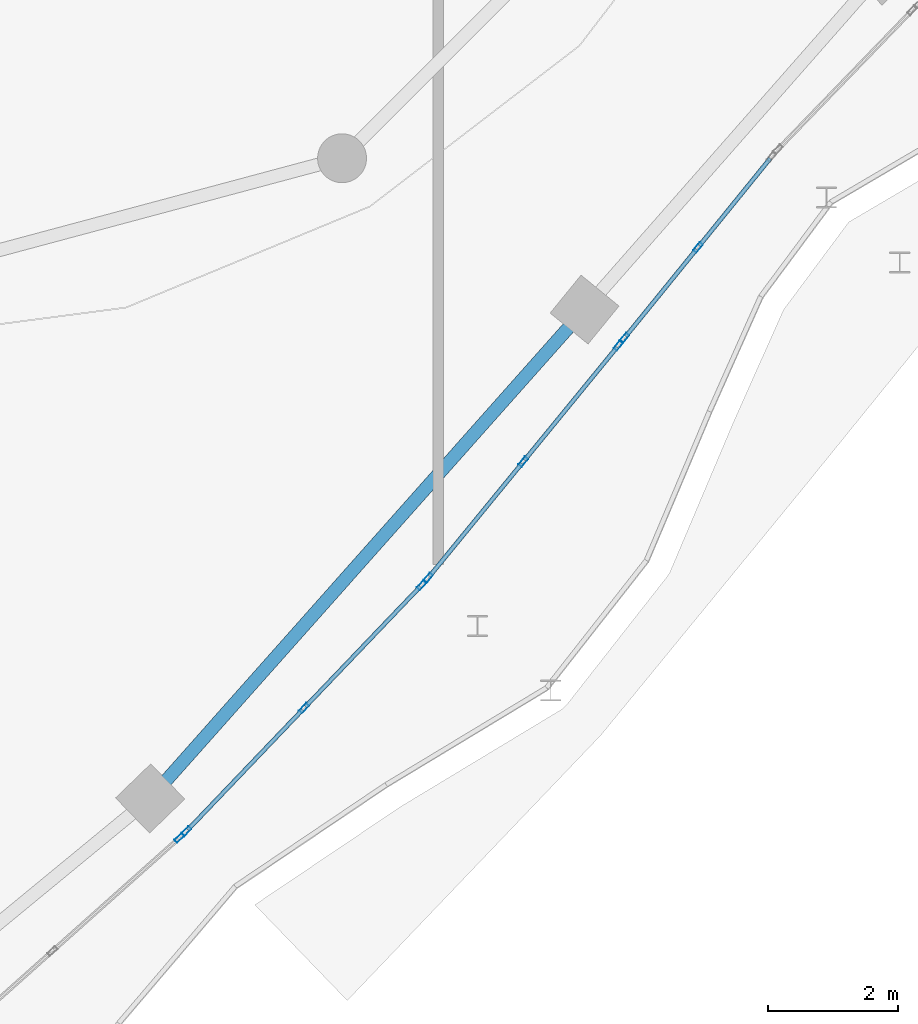
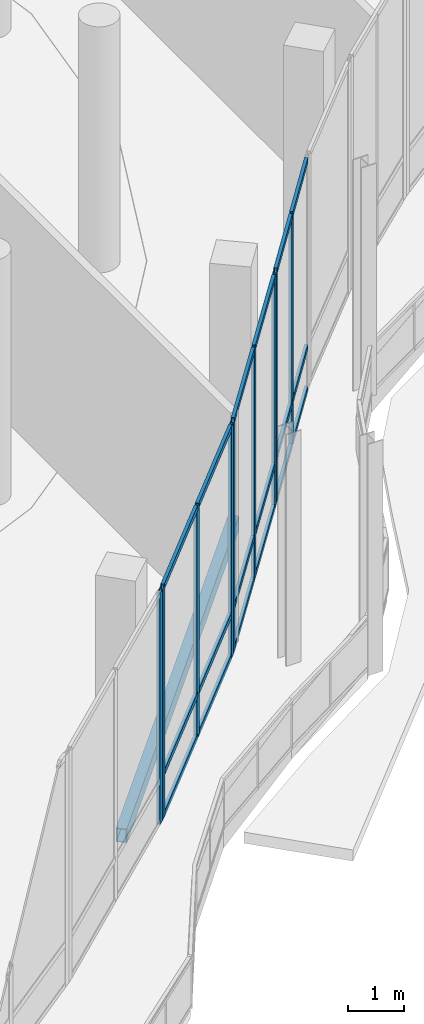
# One storey, part 50 of 158: 27 members, 1 beam, 4 elements without a shape of their own.
"""IFC4 building model written with IfcOpenShell, lengths in metres."""

from ifc_helpers import new_model, si_unit, direction, frame, origin, origin_2d, place, context, subcontext, project, spatial, hollow_rectangle, extrude, material, material_profile, profile_set, type_object, element, aggregate, save


model = new_model("IFC4")

# Units and contexts
model_context = context("Model", 3, precision=1e-05, world=origin(), true_north=direction((0.0, 1.0)))
body_context = subcontext(model_context, "Body", "Model", "MODEL_VIEW")
ifc_project = project(units=[si_unit("LENGTHUNIT", "METRE"), si_unit("AREAUNIT", "SQUARE_METRE"), si_unit("VOLUMEUNIT", "CUBIC_METRE"), si_unit("PLANEANGLEUNIT", "RADIAN"), si_unit("MASSUNIT", "GRAM", prefix="KILO")], contexts=[model_context])

# Site, building, storey
site_placement = place(None, origin())
site = spatial("IfcSite", under=ifc_project, at=site_placement, CompositionType="ELEMENT")
building_placement = place(site_placement, origin())
building = spatial("IfcBuilding", under=site, at=building_placement, Name="Selatvlak General Hospital", CompositionType="ELEMENT")
storey_placement = place(building_placement, origin())
storey = spatial("IfcBuildingStorey", under=building, at=storey_placement, Name="L00", CompositionType="ELEMENT", Elevation=0.0)

# Beam
ifc_material_1 = material(Name="Steel S355", Category="steel")
ifc_material_profile_1 = material_profile(ifc_material_1, hollow_rectangle(XDim=0.199951171875, YDim=0.300048828125, WallThickness=0.011962890625, at=origin_2d()), Name="RHS 300x200x12")
ifc_profile_set_1 = profile_set([ifc_material_profile_1], Name="Steel S355")
beam_type = type_object("IfcBeamType", Name="BM-SP3", PredefinedType="SPANDREL", material=ifc_profile_set_1)
beam_placement = place(storey_placement, frame((102.383056640625, 31.4970703125, -0.5), z_axis=(0.664193048636, 0.747561097265, 0.0), x_axis=(-0.747561097265, 0.664193048636, 0.0)))
element("IfcBeam", 1, at=beam_placement, inside=storey, type_object=beam_type, Name="Beam BMR-L00-0376", PredefinedType="SPANDREL", context=body_context, shape_type="SweptSolid", body=[
    extrude(hollow_rectangle(XDim=0.199951171875, YDim=0.300048828125, WallThickness=0.011962890625, at=origin_2d()), origin(), (0.0, 0.0, 1.0), 10.027099609375),
])

# Curtain wall, members
ifc_material_2 = material(Name="Solar-control Low-E double glazing", Category="glass")
curtain_wall_type_1 = type_object("IfcCurtainWallType", Name="CW-CW-02", PredefinedType="USERDEFINED", material=ifc_material_2)
curtain_wall_1_placement = place(storey_placement, origin())
curtain_wall_1 = element("IfcCurtainWall", 2, at=curtain_wall_1_placement, inside=storey, type_object=curtain_wall_type_1, Name="Glazed facade curtain wall CW-L00-0042", ObjectType="UNITISED CURTAIN WALL", PredefinedType="USERDEFINED")
ifc_material_3 = material(Name="Dark anodised aluminium mullion", Category="aluminium")
ifc_material_profile_2 = material_profile(ifc_material_3, hollow_rectangle(XDim=0.06494140625, YDim=0.159912109375, WallThickness=0.00390625, at=origin_2d()), Name="AL-MUL 65x160x4")
ifc_profile_set_2 = profile_set([ifc_material_profile_2], Name="Dark anodised aluminium mullion")
member_type_1 = type_object("IfcMemberType", Name="CWM-01", PredefinedType="MULLION", material=ifc_profile_set_2)
member_1_placement = place(storey_placement, frame((110.781494140625, 39.945556640625, 0.0), z_axis=(0.0, 0.0, 1.0), x_axis=(0.776323804924, -0.630334315986, 0.0)))
member_1 = element("IfcMember", 3, at=member_1_placement, type_object=member_type_1, Name="CW-02 mullion 2", PredefinedType="MULLION", context=body_context, shape_type="SweptSolid", body=[
    extrude(hollow_rectangle(XDim=0.06494140625, YDim=0.159912109375, WallThickness=0.00390625, at=origin_2d()), origin(), (0.0, 0.0, 1.0), 5.080078125),
])
member_2_placement = place(storey_placement, frame((109.653564453125, 38.55615234375, 0.0), z_axis=(0.0, 0.0, 1.0), x_axis=(0.776323804924, -0.630334315986, 0.0)))
member_2 = element("IfcMember", 4, at=member_2_placement, type_object=member_type_1, Name="CW-02 mullion 3", PredefinedType="MULLION", context=body_context, shape_type="SweptSolid", body=[
    extrude(hollow_rectangle(XDim=0.06494140625, YDim=0.159912109375, WallThickness=0.00390625, at=origin_2d()), origin(), (0.0, 0.0, 1.0), 5.080078125),
])

curtain_wall_type_2 = type_object("IfcCurtainWallType", Name="CW-CW-01", PredefinedType="USERDEFINED", material=ifc_material_2)
curtain_wall_2_placement = place(storey_placement, origin())
curtain_wall_2 = element("IfcCurtainWall", 5, at=curtain_wall_2_placement, inside=storey, type_object=curtain_wall_type_2, Name="Glazed facade curtain wall CW-L00-0043", ObjectType="UNITISED CURTAIN WALL", PredefinedType="USERDEFINED")
member_3_placement = place(storey_placement, frame((109.5625, 38.44287109375, 0.0), z_axis=(0.0, 0.0, 1.0), x_axis=(0.773785702976, -0.633447461018, 0.0)))
member_3 = element("IfcMember", 6, at=member_3_placement, type_object=member_type_1, Name="CW-01 mullion 1", PredefinedType="MULLION", context=body_context, shape_type="SweptSolid", body=[
    extrude(hollow_rectangle(XDim=0.06494140625, YDim=0.159912109375, WallThickness=0.00390625, at=origin_2d()), origin(), (0.0, 0.0, 1.0), 5.080078125),
])
member_4_placement = place(storey_placement, frame((108.1025390625, 36.659423828125, 0.0), z_axis=(0.0, 0.0, 1.0), x_axis=(0.773785702976, -0.633447461018, 0.0)))
member_4 = element("IfcMember", 7, at=member_4_placement, type_object=member_type_1, Name="CW-01 mullion 2", PredefinedType="MULLION", context=body_context, shape_type="SweptSolid", body=[
    extrude(hollow_rectangle(XDim=0.06494140625, YDim=0.159912109375, WallThickness=0.00390625, at=origin_2d()), origin(), (0.0, 0.0, 1.0), 5.080078125),
])
member_5_placement = place(storey_placement, frame((106.642578125, 34.876220703125, 0.0), z_axis=(0.0, 0.0, 1.0), x_axis=(0.773785702976, -0.633447461018, 0.0)))
member_5 = element("IfcMember", 8, at=member_5_placement, type_object=member_type_1, Name="CW-01 mullion 3", PredefinedType="MULLION", context=body_context, shape_type="SweptSolid", body=[
    extrude(hollow_rectangle(XDim=0.06494140625, YDim=0.159912109375, WallThickness=0.00390625, at=origin_2d()), origin(), (0.0, 0.0, 1.0), 5.080078125),
])

curtain_wall_3_placement = place(storey_placement, origin())
curtain_wall_3 = element("IfcCurtainWall", 9, at=curtain_wall_3_placement, inside=storey, type_object=curtain_wall_type_1, Name="Glazed facade curtain wall CW-L00-0044", ObjectType="UNITISED CURTAIN WALL", PredefinedType="USERDEFINED")
member_6_placement = place(storey_placement, frame((106.545654296875, 34.7685546875, 0.0), z_axis=(0.0, 0.0, 1.0), x_axis=(0.722908808256, -0.690943452785, 0.0)))
member_6 = element("IfcMember", 10, at=member_6_placement, type_object=member_type_1, Name="CW-02 mullion 1", PredefinedType="MULLION", context=body_context, shape_type="SweptSolid", body=[
    extrude(hollow_rectangle(XDim=0.06494140625, YDim=0.159912109375, WallThickness=0.00390625, at=origin_2d()), origin(), (0.0, 0.0, 1.0), 5.080078125),
])
member_7_placement = place(storey_placement, frame((104.741455078125, 32.881103515625, 0.0), z_axis=(0.0, 0.0, 1.0), x_axis=(0.722908808256, -0.690943452785, 0.0)))
member_7 = element("IfcMember", 11, at=member_7_placement, type_object=member_type_1, Name="CW-02 mullion 2", PredefinedType="MULLION", context=body_context, shape_type="SweptSolid", body=[
    extrude(hollow_rectangle(XDim=0.06494140625, YDim=0.159912109375, WallThickness=0.00390625, at=origin_2d()), origin(), (0.0, 0.0, 1.0), 5.080078125),
])
member_8_placement = place(storey_placement, frame((102.9375, 30.993408203125, 0.0), z_axis=(0.0, 0.0, 1.0), x_axis=(0.722908808256, -0.690943452785, 0.0)))
member_8 = element("IfcMember", 12, at=member_8_placement, type_object=member_type_1, Name="CW-02 mullion 3", PredefinedType="MULLION", context=body_context, shape_type="SweptSolid", body=[
    extrude(hollow_rectangle(XDim=0.06494140625, YDim=0.159912109375, WallThickness=0.00390625, at=origin_2d()), origin(), (0.0, 0.0, 1.0), 5.080078125),
])

# Curtain wall, member
curtain_wall_4_placement = place(storey_placement, origin())
curtain_wall_4 = element("IfcCurtainWall", 13, at=curtain_wall_4_placement, inside=storey, type_object=curtain_wall_type_2, Name="Glazed facade curtain wall CW-L00-0045", ObjectType="UNITISED CURTAIN WALL", PredefinedType="USERDEFINED")
member_9_placement = place(storey_placement, frame((102.832763671875, 30.894287109375, 0.0), z_axis=(0.0, 0.0, 1.0), x_axis=(0.665560736735, -0.746343691417, 0.0)))
member_9 = element("IfcMember", 14, at=member_9_placement, type_object=member_type_1, Name="CW-01 mullion 1", PredefinedType="MULLION", context=body_context, shape_type="SweptSolid", body=[
    extrude(hollow_rectangle(XDim=0.06494140625, YDim=0.159912109375, WallThickness=0.00390625, at=origin_2d()), origin(), (0.0, 0.0, 1.0), 5.080078125),
])
aggregate(curtain_wall_4, [member_9])

# Member
ifc_material_profile_3 = material_profile(ifc_material_3, hollow_rectangle(XDim=0.06494140625, YDim=0.1201171875, WallThickness=0.00390625, at=origin_2d()), Name="AL-TRN 65x120x4")
ifc_profile_set_3 = profile_set([ifc_material_profile_3], Name="Dark anodised aluminium mullion")
member_type_2 = type_object("IfcMemberType", Name="CWT-01", PredefinedType="USERDEFINED", material=ifc_profile_set_3)
member_10_placement = place(storey_placement, frame((111.888916015625, 41.3095703125, 0.032470703125), z_axis=(-0.630272788322, -0.776373758122, 0.0), x_axis=(0.776373758122, -0.630272788322, 0.0)))
member_10 = element("IfcMember", 15, at=member_10_placement, type_object=member_type_2, Name="CW-02 transom 1.1", ObjectType="TRANSOM", PredefinedType="USERDEFINED", context=body_context, shape_type="SweptSolid", body=[
    extrude(hollow_rectangle(XDim=0.06494140625, YDim=0.1201171875, WallThickness=0.00390625, at=origin_2d()), origin(), (0.0, 0.0, 1.0), 1.724609375),
])

member_11_placement = place(storey_placement, frame((111.888916015625, 41.3095703125, 0.949951171875), z_axis=(-0.630272788322, -0.776373758122, 0.0), x_axis=(0.776373758122, -0.630272788322, 0.0)))
member_11 = element("IfcMember", 16, at=member_11_placement, type_object=member_type_2, Name="CW-02 transom 1.2", ObjectType="TRANSOM", PredefinedType="USERDEFINED", context=body_context, shape_type="SweptSolid", body=[
    extrude(hollow_rectangle(XDim=0.06494140625, YDim=0.1201171875, WallThickness=0.00390625, at=origin_2d()), origin(), (0.0, 0.0, 1.0), 1.724609375),
])

member_12_placement = place(storey_placement, frame((111.888916015625, 41.3095703125, 5.047607421875), z_axis=(-0.630272788322, -0.776373758122, 0.0), x_axis=(0.776373758122, -0.630272788322, 0.0)))
member_12 = element("IfcMember", 17, at=member_12_placement, type_object=member_type_2, Name="CW-02 transom 1.3", ObjectType="TRANSOM", PredefinedType="USERDEFINED", context=body_context, shape_type="SweptSolid", body=[
    extrude(hollow_rectangle(XDim=0.06494140625, YDim=0.1201171875, WallThickness=0.00390625, at=origin_2d()), origin(), (0.0, 0.0, 1.0), 1.724609375),
])

member_13_placement = place(storey_placement, frame((110.760986328125, 39.920166015625, 0.032470703125), z_axis=(-0.630342067833, -0.776317510765, 0.0), x_axis=(0.776317510765, -0.630342067833, 0.0)))
member_13 = element("IfcMember", 18, at=member_13_placement, type_object=member_type_2, Name="CW-02 transom 2.1", ObjectType="TRANSOM", PredefinedType="USERDEFINED", context=body_context, shape_type="SweptSolid", body=[
    extrude(hollow_rectangle(XDim=0.06494140625, YDim=0.1201171875, WallThickness=0.00390625, at=origin_2d()), origin(), (0.0, 0.0, 1.0), 1.724365234375),
])

member_14_placement = place(storey_placement, frame((110.760986328125, 39.920166015625, 0.949951171875), z_axis=(-0.630342067833, -0.776317510765, 0.0), x_axis=(0.776317510765, -0.630342067833, 0.0)))
member_14 = element("IfcMember", 19, at=member_14_placement, type_object=member_type_2, Name="CW-02 transom 2.2", ObjectType="TRANSOM", PredefinedType="USERDEFINED", context=body_context, shape_type="SweptSolid", body=[
    extrude(hollow_rectangle(XDim=0.06494140625, YDim=0.1201171875, WallThickness=0.00390625, at=origin_2d()), origin(), (0.0, 0.0, 1.0), 1.724365234375),
])

member_15_placement = place(storey_placement, frame((110.760986328125, 39.920166015625, 5.047607421875), z_axis=(-0.630342067833, -0.776317510765, 0.0), x_axis=(0.776317510765, -0.630342067833, 0.0)))
member_15 = element("IfcMember", 20, at=member_15_placement, type_object=member_type_2, Name="CW-02 transom 2.3", ObjectType="TRANSOM", PredefinedType="USERDEFINED", context=body_context, shape_type="SweptSolid", body=[
    extrude(hollow_rectangle(XDim=0.06494140625, YDim=0.1201171875, WallThickness=0.00390625, at=origin_2d()), origin(), (0.0, 0.0, 1.0), 1.724365234375),
])

aggregate(curtain_wall_1, [member_1, member_2, member_10, member_11, member_12, member_13, member_14, member_15])

member_16_placement = place(storey_placement, frame((109.541748046875, 38.417724609375, 0.032470703125), z_axis=(-0.633415847539, -0.773811581773, 0.0), x_axis=(0.773811581773, -0.633415847539, 0.0)))
member_16 = element("IfcMember", 21, at=member_16_placement, type_object=member_type_2, Name="CW-01 transom 1.1", ObjectType="TRANSOM", PredefinedType="USERDEFINED", context=body_context, shape_type="SweptSolid", body=[
    extrude(hollow_rectangle(XDim=0.06494140625, YDim=0.1201171875, WallThickness=0.00390625, at=origin_2d()), origin(), (0.0, 0.0, 1.0), 2.23974609375),
])

member_17_placement = place(storey_placement, frame((109.541748046875, 38.417724609375, 0.949951171875), z_axis=(-0.633415847539, -0.773811581773, 0.0), x_axis=(0.773811581773, -0.633415847539, 0.0)))
member_17 = element("IfcMember", 22, at=member_17_placement, type_object=member_type_2, Name="CW-01 transom 1.2", ObjectType="TRANSOM", PredefinedType="USERDEFINED", context=body_context, shape_type="SweptSolid", body=[
    extrude(hollow_rectangle(XDim=0.06494140625, YDim=0.1201171875, WallThickness=0.00390625, at=origin_2d()), origin(), (0.0, 0.0, 1.0), 2.23974609375),
])

member_18_placement = place(storey_placement, frame((109.541748046875, 38.417724609375, 5.047607421875), z_axis=(-0.633415847539, -0.773811581773, 0.0), x_axis=(0.773811581773, -0.633415847539, 0.0)))
member_18 = element("IfcMember", 23, at=member_18_placement, type_object=member_type_2, Name="CW-01 transom 1.3", ObjectType="TRANSOM", PredefinedType="USERDEFINED", context=body_context, shape_type="SweptSolid", body=[
    extrude(hollow_rectangle(XDim=0.06494140625, YDim=0.1201171875, WallThickness=0.00390625, at=origin_2d()), origin(), (0.0, 0.0, 1.0), 2.23974609375),
])

member_19_placement = place(storey_placement, frame((108.08203125, 36.63427734375, 0.032470703125), z_axis=(-0.633534538308, -0.773714410342, 0.0), x_axis=(0.773714410342, -0.633534538308, 0.0)))
member_19 = element("IfcMember", 24, at=member_19_placement, type_object=member_type_2, Name="CW-01 transom 2.1", ObjectType="TRANSOM", PredefinedType="USERDEFINED", context=body_context, shape_type="SweptSolid", body=[
    extrude(hollow_rectangle(XDim=0.06494140625, YDim=0.1201171875, WallThickness=0.00390625, at=origin_2d()), origin(), (0.0, 0.0, 1.0), 2.23974609375),
])

member_20_placement = place(storey_placement, frame((108.08203125, 36.63427734375, 0.949951171875), z_axis=(-0.633534538308, -0.773714410342, 0.0), x_axis=(0.773714410342, -0.633534538308, 0.0)))
member_20 = element("IfcMember", 25, at=member_20_placement, type_object=member_type_2, Name="CW-01 transom 2.2", ObjectType="TRANSOM", PredefinedType="USERDEFINED", context=body_context, shape_type="SweptSolid", body=[
    extrude(hollow_rectangle(XDim=0.06494140625, YDim=0.1201171875, WallThickness=0.00390625, at=origin_2d()), origin(), (0.0, 0.0, 1.0), 2.23974609375),
])

member_21_placement = place(storey_placement, frame((108.08203125, 36.63427734375, 5.047607421875), z_axis=(-0.633534538308, -0.773714410342, 0.0), x_axis=(0.773714410342, -0.633534538308, 0.0)))
member_21 = element("IfcMember", 26, at=member_21_placement, type_object=member_type_2, Name="CW-01 transom 2.3", ObjectType="TRANSOM", PredefinedType="USERDEFINED", context=body_context, shape_type="SweptSolid", body=[
    extrude(hollow_rectangle(XDim=0.06494140625, YDim=0.1201171875, WallThickness=0.00390625, at=origin_2d()), origin(), (0.0, 0.0, 1.0), 2.23974609375),
])

aggregate(curtain_wall_2, [member_3, member_4, member_5, member_16, member_17, member_18, member_19, member_20, member_21])

member_22_placement = place(storey_placement, frame((106.523193359375, 34.7451171875, 0.032470703125), z_axis=(-0.690961349091, -0.722891702859, 0.0), x_axis=(0.722891702859, -0.690961349091, 0.0)))
member_22 = element("IfcMember", 27, at=member_22_placement, type_object=member_type_2, Name="CW-02 transom 1.1", ObjectType="TRANSOM", PredefinedType="USERDEFINED", context=body_context, shape_type="SweptSolid", body=[
    extrude(hollow_rectangle(XDim=0.06494140625, YDim=0.1201171875, WallThickness=0.00390625, at=origin_2d()), origin(), (0.0, 0.0, 1.0), 2.546142578125),
])

member_23_placement = place(storey_placement, frame((106.523193359375, 34.7451171875, 0.949951171875), z_axis=(-0.690961349091, -0.722891702859, 0.0), x_axis=(0.722891702859, -0.690961349091, 0.0)))
member_23 = element("IfcMember", 28, at=member_23_placement, type_object=member_type_2, Name="CW-02 transom 1.2", ObjectType="TRANSOM", PredefinedType="USERDEFINED", context=body_context, shape_type="SweptSolid", body=[
    extrude(hollow_rectangle(XDim=0.06494140625, YDim=0.1201171875, WallThickness=0.00390625, at=origin_2d()), origin(), (0.0, 0.0, 1.0), 2.546142578125),
])

member_24_placement = place(storey_placement, frame((106.523193359375, 34.7451171875, 5.047607421875), z_axis=(-0.690961349091, -0.722891702859, 0.0), x_axis=(0.722891702859, -0.690961349091, 0.0)))
member_24 = element("IfcMember", 29, at=member_24_placement, type_object=member_type_2, Name="CW-02 transom 1.3", ObjectType="TRANSOM", PredefinedType="USERDEFINED", context=body_context, shape_type="SweptSolid", body=[
    extrude(hollow_rectangle(XDim=0.06494140625, YDim=0.1201171875, WallThickness=0.00390625, at=origin_2d()), origin(), (0.0, 0.0, 1.0), 2.546142578125),
])

member_25_placement = place(storey_placement, frame((104.718994140625, 32.857421875, 0.032470703125), z_axis=(-0.690959135507, -0.722893818661, 0.0), x_axis=(0.722893818661, -0.690959135507, 0.0)))
member_25 = element("IfcMember", 30, at=member_25_placement, type_object=member_type_2, Name="CW-02 transom 2.1", ObjectType="TRANSOM", PredefinedType="USERDEFINED", context=body_context, shape_type="SweptSolid", body=[
    extrude(hollow_rectangle(XDim=0.06494140625, YDim=0.1201171875, WallThickness=0.00390625, at=origin_2d()), origin(), (0.0, 0.0, 1.0), 2.5458984375),
])

member_26_placement = place(storey_placement, frame((104.718994140625, 32.857421875, 0.949951171875), z_axis=(-0.690959135507, -0.722893818661, 0.0), x_axis=(0.722893818661, -0.690959135507, 0.0)))
member_26 = element("IfcMember", 31, at=member_26_placement, type_object=member_type_2, Name="CW-02 transom 2.2", ObjectType="TRANSOM", PredefinedType="USERDEFINED", context=body_context, shape_type="SweptSolid", body=[
    extrude(hollow_rectangle(XDim=0.06494140625, YDim=0.1201171875, WallThickness=0.00390625, at=origin_2d()), origin(), (0.0, 0.0, 1.0), 2.5458984375),
])

member_27_placement = place(storey_placement, frame((104.718994140625, 32.857421875, 5.047607421875), z_axis=(-0.690959135507, -0.722893818661, 0.0), x_axis=(0.722893818661, -0.690959135507, 0.0)))
member_27 = element("IfcMember", 32, at=member_27_placement, type_object=member_type_2, Name="CW-02 transom 2.3", ObjectType="TRANSOM", PredefinedType="USERDEFINED", context=body_context, shape_type="SweptSolid", body=[
    extrude(hollow_rectangle(XDim=0.06494140625, YDim=0.1201171875, WallThickness=0.00390625, at=origin_2d()), origin(), (0.0, 0.0, 1.0), 2.5458984375),
])

aggregate(curtain_wall_3, [member_6, member_7, member_8, member_22, member_23, member_24, member_25, member_26, member_27])

save(model, "model.ifc")
